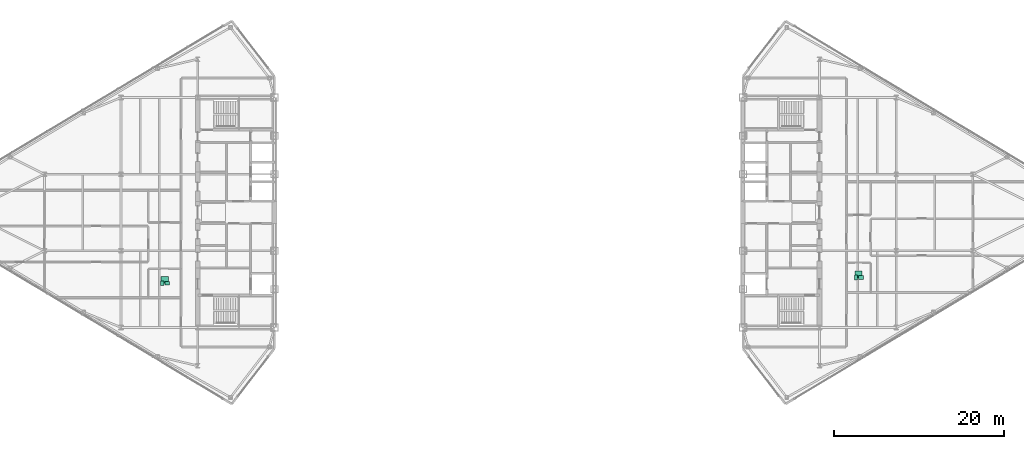
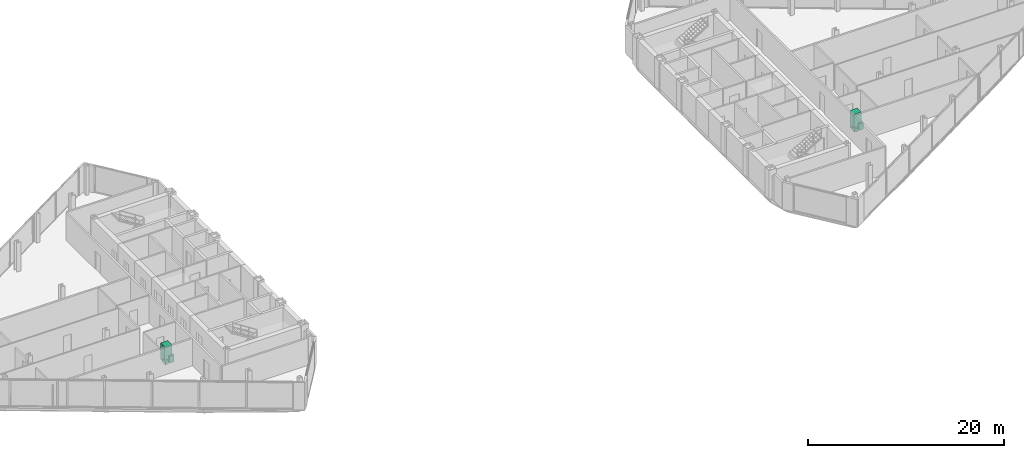
# One storey, part 25 of 25: 6 sanitary terminals.
"""IFC4 building model written with IfcOpenShell, lengths in metres."""

from ifc_helpers import new_model, si_unit, direction, frame, origin, origin_2d, place, context, subcontext, project, spatial, rectangle, extrude, source, transform, mapped, material, type_object, type_shapes, element, save


model = new_model("IFC4")

# Units and contexts
model_context = context("Model", 3, precision=1e-05, world=origin(), true_north=direction((0.0, 1.0)))
body_context = subcontext(model_context, "Body", "Model", "MODEL_VIEW")
ifc_project = project(units=[si_unit("LENGTHUNIT", "METRE"), si_unit("AREAUNIT", "SQUARE_METRE"), si_unit("VOLUMEUNIT", "CUBIC_METRE"), si_unit("PLANEANGLEUNIT", "RADIAN"), si_unit("MASSUNIT", "GRAM", prefix="KILO")], contexts=[model_context])

# Site, building, storey
site_placement = place(None, origin())
site = spatial("IfcSite", under=ifc_project, at=site_placement, CompositionType="ELEMENT")
building_placement = place(site_placement, origin())
building = spatial("IfcBuilding", under=site, at=building_placement, Name="Seokmaru Belvedere", CompositionType="ELEMENT")
storey_placement = place(building_placement, frame((0.0, 0.0, 206.699951171875)))
storey = spatial("IfcBuildingStorey", under=building, at=storey_placement, Name="L55", CompositionType="ELEMENT", Elevation=206.699951171875)

# Sanitary terminals
ifc_material_1 = material(Name="Vitreous China Sanitaryware")
sanitary_terminal_type_1 = type_object("IfcSanitaryTerminalType", Name="Wall-Hung Vitreous China WC Pan", PredefinedType="TOILETPAN", material=ifc_material_1)
shared_shape_1 = source(origin(), body_context, "Body", "SweptSolid", [
    extrude(rectangle(XDim=0.3798828125, YDim=0.56005859375, at=origin_2d()), origin(), (0.0, 0.0, 1.0), 0.419921875),
])
type_shapes(sanitary_terminal_type_1, [shared_shape_1])
for number, where, z_axis, x_axis, name in (
    (1, (-40.675048828125, -8.300048828125, 0.0), (0.0, 0.0, 1.0), (1.0, 0.0, 0.0), "L55 Vitreous China WC 0261"),
    (2, (40.77490234375, -7.64599609375, 0.0), (0.0, 0.0, 1.0), (1.0, 0.0, 0.0), "L55 Vitreous China WC 0262"),
):
    element("IfcSanitaryTerminal", number, at=place(storey_placement, frame(where, z_axis=z_axis, x_axis=x_axis)), inside=storey, type_object=sanitary_terminal_type_1, Name=name, PredefinedType="TOILETPAN", context=body_context, shape_type="MappedRepresentation", body=[
        mapped(shared_shape_1, transform((0.0, 0.0, 0.0), scale=1.0)),
    ])
sanitary_terminal_type_2 = type_object("IfcSanitaryTerminalType", Name="Countertop Ceramic Washhand Basin", PredefinedType="WASHHANDBASIN", material=ifc_material_1)
shared_shape_2 = source(origin(), body_context, "Body", "SweptSolid", [
    extrude(rectangle(XDim=0.550048828125, YDim=0.449951171875, at=origin_2d()), origin(), (0.0, 0.0, 1.0), 0.820068359375),
])
type_shapes(sanitary_terminal_type_2, [shared_shape_2])
for number, where, z_axis, x_axis, name in (
    (3, (-40.074951171875, -8.300048828125, 0.0), (0.0, 0.0, 1.0), (1.0, 0.0, 0.0), "L55 Ceramic Washhand Basin 0261"),
    (4, (41.375, -7.64599609375, 0.0), (0.0, 0.0, 1.0), (1.0, 0.0, 0.0), "L55 Ceramic Washhand Basin 0262"),
):
    element("IfcSanitaryTerminal", number, at=place(storey_placement, frame(where, z_axis=z_axis, x_axis=x_axis)), inside=storey, type_object=sanitary_terminal_type_2, Name=name, PredefinedType="WASHHANDBASIN", context=body_context, shape_type="MappedRepresentation", body=[
        mapped(shared_shape_2, transform((0.0, 0.0, 0.0), scale=1.0)),
    ])
ifc_material_2 = material(Name="Stainless Steel 316", Category="steel")
sanitary_terminal_type_3 = type_object("IfcSanitaryTerminalType", Name="Walk-In Thermostatic Rain Shower Enclosure", PredefinedType="SHOWER", material=ifc_material_2)
shared_shape_3 = source(origin(), body_context, "Body", "SweptSolid", [
    extrude(rectangle(XDim=0.85009765625, YDim=0.85009765625, at=origin_2d()), origin(), (0.0, 0.0, 1.0), 2.050048828125),
])
type_shapes(sanitary_terminal_type_3, [shared_shape_3])
for number, where, z_axis, x_axis, name in (
    (5, (-40.375, -7.919921875, 0.0), (0.0, 0.0, 1.0), (1.0, 0.0, 0.0), "L55 Walk-In Shower 0261"),
    (6, (41.074951171875, -7.26611328125, 0.0), (0.0, 0.0, 1.0), (1.0, 0.0, 0.0), "L55 Walk-In Shower 0262"),
):
    element("IfcSanitaryTerminal", number, at=place(storey_placement, frame(where, z_axis=z_axis, x_axis=x_axis)), inside=storey, type_object=sanitary_terminal_type_3, Name=name, PredefinedType="SHOWER", context=body_context, shape_type="MappedRepresentation", body=[
        mapped(shared_shape_3, transform((0.0, 0.0, 0.0), scale=1.0)),
    ])

save(model, "model.ifc")
